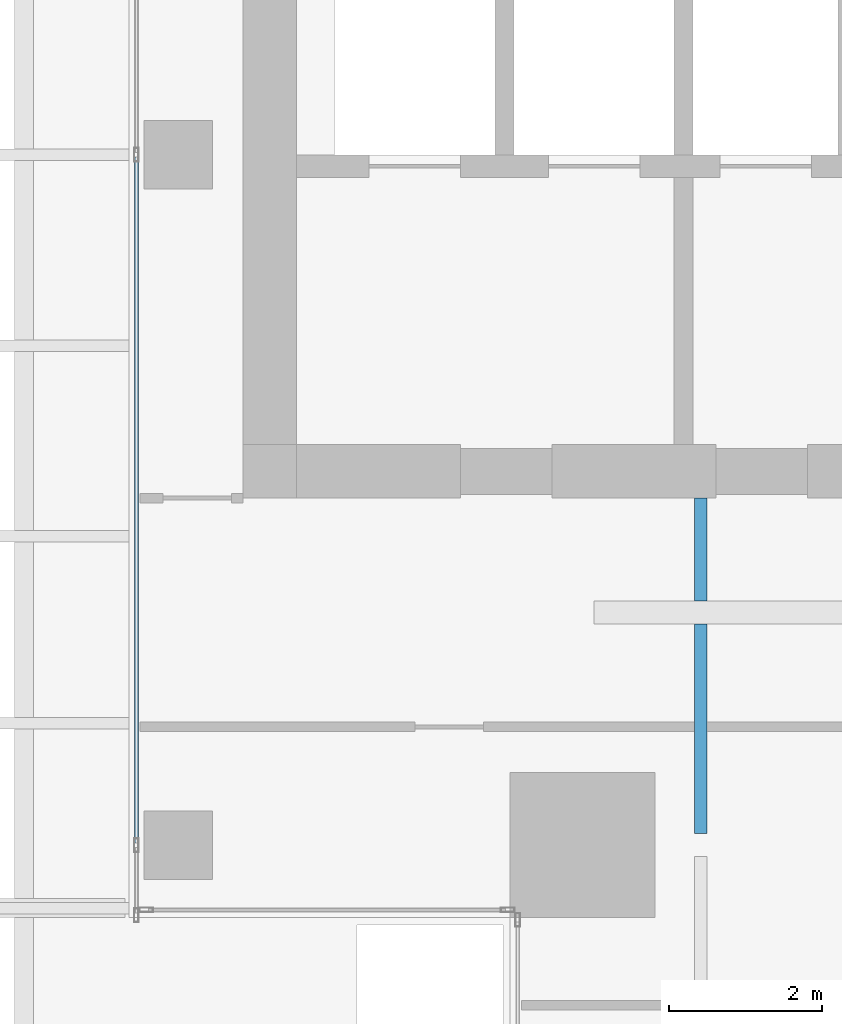
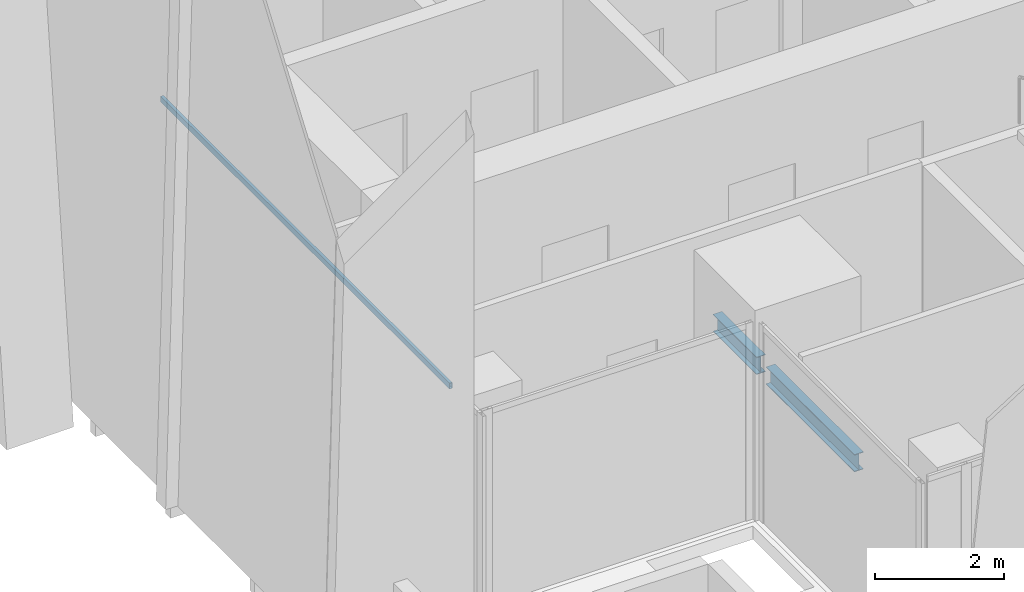
# One storey, part 4 of 33: 2 beams, 1 member, 1 element without a shape of its own.
"""IFC4 building model written with IfcOpenShell, lengths in metres."""

from ifc_helpers import new_model, si_unit, direction, frame, origin, origin_2d, place, context, subcontext, project, spatial, hollow_rectangle, i_section, extrude, source, transform, mapped, material, material_profile, profile_set, type_object, element, aggregate, save


model = new_model("IFC4")

# Units and contexts
model_context = context("Model", 3, precision=1e-05, world=origin(), true_north=direction((0.0, 1.0)))
body_context = subcontext(model_context, "Body", "Model", "MODEL_VIEW")
ifc_project = project(units=[si_unit("LENGTHUNIT", "METRE"), si_unit("AREAUNIT", "SQUARE_METRE"), si_unit("VOLUMEUNIT", "CUBIC_METRE"), si_unit("PLANEANGLEUNIT", "RADIAN"), si_unit("MASSUNIT", "GRAM", prefix="KILO")], contexts=[model_context])

# Site, building, storey
site_placement = place(None, origin())
site = spatial("IfcSite", under=ifc_project, at=site_placement, CompositionType="ELEMENT")
building_placement = place(site_placement, origin())
building = spatial("IfcBuilding", under=site, at=building_placement, Name="Khomas Fold Tower", CompositionType="ELEMENT")
storey_placement = place(building_placement, frame((0.0, 0.0, 222.199951171875)))
storey = spatial("IfcBuildingStorey", under=building, at=storey_placement, Name="L49", CompositionType="ELEMENT", Elevation=222.199951171875)

# Beams
ifc_material_1 = material(Name="Steel S355", Category="steel")
ifc_material_profile_1 = material_profile(ifc_material_1, i_section(OverallWidth=0.159912109375, OverallDepth=0.330078125, WebThickness=0.007568359375, FlangeThickness=0.011474609375, at=origin_2d()), Name="IPE 330")
ifc_profile_set_1 = profile_set([ifc_material_profile_1], Name="Steel S355")
beam_type = type_object("IfcBeamType", Name="IPE 330 beam JB1", PredefinedType="BEAM", material=ifc_profile_set_1)
shared_shape_1 = source(origin(), body_context, "Body", "SweptSolid", [
    extrude(i_section(OverallWidth=0.159912109375, OverallDepth=0.330078125, WebThickness=0.007568359375, FlangeThickness=0.011474609375, at=origin_2d()), origin(), (0.0, 0.0, 1.0), 1.35009765625),
])
beam_1_placement = place(storey_placement, frame((12.0, 13.64990234375, -0.4150390625), z_axis=(0.0, 1.0, 0.0), x_axis=(-1.0, 0.0, 0.0)))
element("IfcBeam", 1, at=beam_1_placement, inside=storey, type_object=beam_type, Name="JB1", PredefinedType="BEAM", context=body_context, shape_type="MappedRepresentation", body=[
    mapped(shared_shape_1, transform((0.0, 0.0, 0.0))),
])
shared_shape_2 = source(origin(), body_context, "Body", "SweptSolid", [
    extrude(i_section(OverallWidth=0.159912109375, OverallDepth=0.330078125, WebThickness=0.007568359375, FlangeThickness=0.011474609375, at=origin_2d()), origin(), (0.0, 0.0, 1.0), 2.75),
])
beam_2_placement = place(storey_placement, frame((12.0, 10.60009765625, -0.4150390625), z_axis=(0.0, 1.0, 0.0), x_axis=(-1.0, 0.0, 0.0)))
element("IfcBeam", 2, at=beam_2_placement, inside=storey, type_object=beam_type, Name="JB1", PredefinedType="BEAM", context=body_context, shape_type="MappedRepresentation", body=[
    mapped(shared_shape_2, transform((0.0, 0.0, 0.0))),
])

# Curtain wall, member
ifc_material_2 = material(Name="Aluminium framed double glazing", Category="aluminium")
curtain_wall_type = type_object("IfcCurtainWallType", Name="SK-Unitised clear-glass wall, office floors CW2", PredefinedType="NOTDEFINED", material=ifc_material_2)
curtain_wall_placement = place(storey_placement, origin())
curtain_wall = element("IfcCurtainWall", 3, at=curtain_wall_placement, inside=storey, type_object=curtain_wall_type, Name="CW2 run L49 09-0", PredefinedType="NOTDEFINED")
ifc_material_3 = material(Name="Aluminium", Category="aluminium")
ifc_material_profile_2 = material_profile(ifc_material_3, hollow_rectangle(XDim=0.050048828125, YDim=0.110107421875, WallThickness=0.00390625, at=origin_2d()), Name="SK-Unitised clear-glass wall, office floors transom CW2-T")
ifc_profile_set_2 = profile_set([ifc_material_profile_2], Name="Aluminium")
member_type = type_object("IfcMemberType", Name="SK-Unitised clear-glass wall, office floors transom CW2-T", PredefinedType="USERDEFINED", material=ifc_profile_set_2)
shared_shape_3 = source(origin(), body_context, "Body", "SweptSolid", [
    extrude(hollow_rectangle(XDim=0.050048828125, YDim=0.110107421875, WallThickness=0.00390625, at=origin_2d()), origin(), (0.0, 0.0, 1.0), 8.989990234375),
])
member_placement = place(storey_placement, frame((4.60009765625, 19.469970703125, 3.695068359375), z_axis=(0.0, -1.0, 0.0), x_axis=(1.0, 0.0, 0.0)))
member = element("IfcMember", 4, at=member_placement, type_object=member_type, Name="CW2 transom 5", ObjectType="TRANSOM", PredefinedType="USERDEFINED", context=body_context, shape_type="MappedRepresentation", body=[
    mapped(shared_shape_3, transform((0.0, 0.0, 0.0))),
])
aggregate(curtain_wall, [member])

save(model, "model.ifc")
